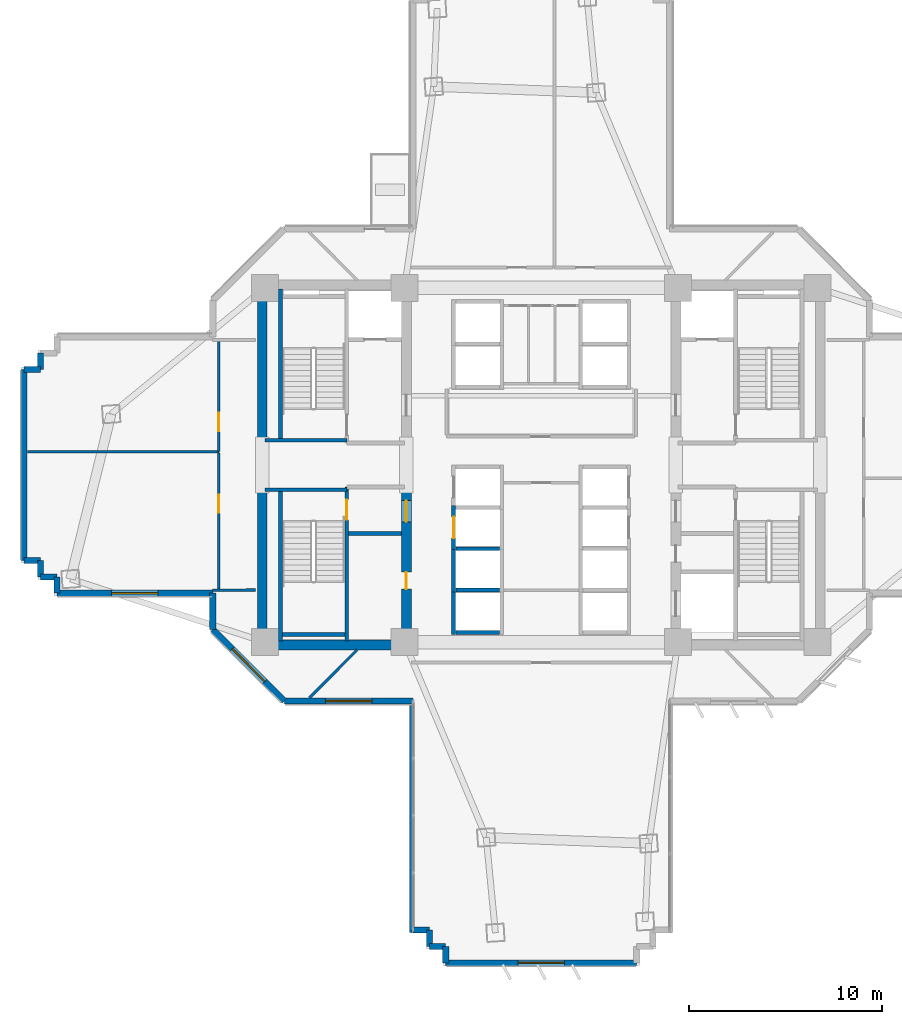
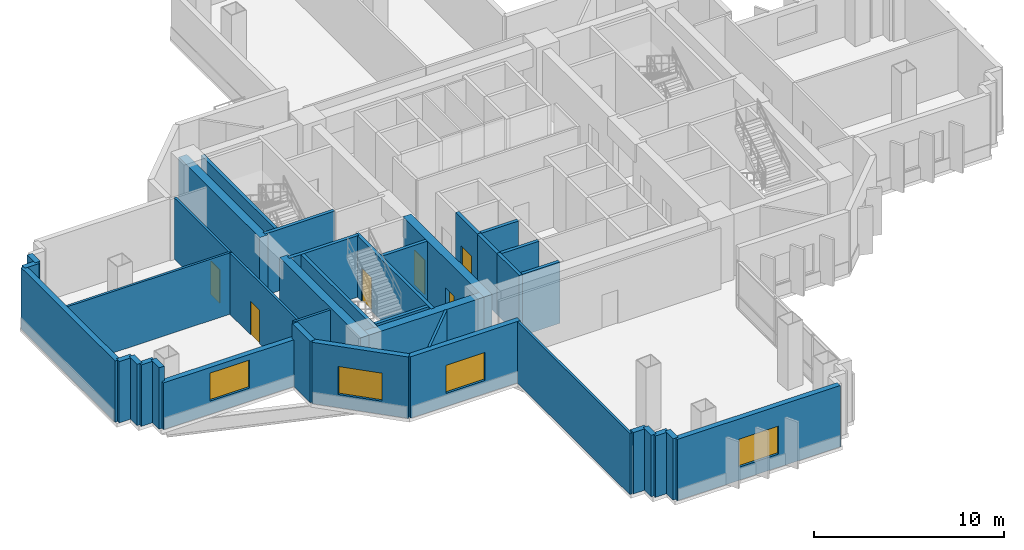
# One storey, part 5 of 14: 39 walls, 6 doors, 4 windows, 10 openings.
"""IFC4 building model written with IfcOpenShell, lengths in metres."""

from ifc_helpers import new_model, si_unit, direction, frame, frame_2d, origin, place, context, subcontext, project, spatial, rectangle, extrude, source, transform, mapped, material, layer, layer_set, type_object, element, fill, save


model = new_model("IFC4")

# Units and contexts
model_context = context("Model", 3, precision=1e-05, world=origin(), true_north=direction((0.0, 1.0)))
body_context = subcontext(model_context, "Body", "Model", "MODEL_VIEW")
ifc_project = project(units=[si_unit("LENGTHUNIT", "METRE"), si_unit("AREAUNIT", "SQUARE_METRE"), si_unit("VOLUMEUNIT", "CUBIC_METRE"), si_unit("PLANEANGLEUNIT", "RADIAN"), si_unit("MASSUNIT", "GRAM", prefix="KILO")], contexts=[model_context])

# Site, building, storey
site_placement = place(None, origin())
site = spatial("IfcSite", under=ifc_project, at=site_placement, CompositionType="ELEMENT")
building_placement = place(site_placement, origin())
building = spatial("IfcBuilding", under=site, at=building_placement, Name="Zahravan Cultural Tower", CompositionType="ELEMENT")
storey_placement = place(building_placement, frame((0.0, 0.0, 33.300048828125)))
storey = spatial("IfcBuildingStorey", under=building, at=storey_placement, Name="L06", CompositionType="ELEMENT", Elevation=33.300048828125)

# Wall, openings, doors
ifc_material_1 = material(Name="Concrete C60/75", Category="concrete")
ifc_layer_1 = layer(ifc_material_1, 0.5)
ifc_layer_set_1 = layer_set([ifc_layer_1], Name="Concrete C60/75")
wall_type_1 = type_object("IfcWallType", Name="CW-SHEAR-500-C60", PredefinedType="SHEAR", material=ifc_layer_set_1)
wall_1_placement = place(storey_placement, frame((29.0, 17.39990234375, 0.0), z_axis=(0.0, 0.0, 1.0), x_axis=(0.0, 1.0, 0.0)))
wall_1 = element("IfcWall", 1, at=wall_1_placement, inside=storey, type_object=wall_type_1, Name="L06 Core Shear Wall CW-W-ES-L06", PredefinedType="SHEAR", context=body_context, shape_type="SweptSolid", body=[
    extrude(rectangle(XDim=8.550048828125, YDim=0.5, at=frame_2d((4.27490234375, 0.0))), origin(), (0.0, 0.0, 1.0), 3.949951171875),
])
opening_1_placement = place(wall_1_placement, frame((6.64990234375, 0.0, 0.0)))
opening_1 = element("IfcOpeningElement", 2, at=opening_1_placement, cuts=wall_1, Name="Opening D-L06-07", PredefinedType="OPENING", context=body_context, shape_type="SweptSolid", body=[
    extrude(rectangle(XDim=1.10009765625, YDim=2.199951171875, at=frame_2d((0.550048828125, 1.10009765625))), frame((0.0, 0.260009765625, 0.0), z_axis=(0.0, -1.0, 0.0), x_axis=(1.0, 0.0, 0.0)), (0.0, 0.0, 1.0), 0.52001953125),
])
opening_2_placement = place(wall_1_placement, frame((3.14990234375, 0.0, 0.0)))
opening_2 = element("IfcOpeningElement", 3, at=opening_2_placement, cuts=wall_1, Name="Opening D-L06-09", PredefinedType="OPENING", context=body_context, shape_type="SweptSolid", body=[
    extrude(rectangle(XDim=0.8798828125, YDim=2.10009765625, at=frame_2d((0.43994140625, 1.050048828125))), frame((0.0, 0.260009765625, 0.0), z_axis=(0.0, -1.0, 0.0), x_axis=(1.0, 0.0, 0.0)), (0.0, 0.0, 1.0), 0.52001953125),
])
ifc_material_2 = material(Name="Steel ASTM A572 Grade 50", Category="steel")
door_type_1 = type_object("IfcDoorType", Name="DR-LOBBY-1100", OperationType="NOTDEFINED", PredefinedType="DOOR", material=ifc_material_2)
shared_shape_1 = source(origin(), body_context, "Body", "SweptSolid", [
    extrude(rectangle(XDim=1.10009765625, YDim=2.199951171875, at=frame_2d((0.550048828125, 1.10009765625))), frame((0.0, 0.02490234375, 0.0), z_axis=(0.0, -1.0, 0.0), x_axis=(1.0, 0.0, 0.0)), (0.0, 0.0, 1.0), 0.050048828125),
])
door_1_placement = place(opening_1_placement, origin())
door_1 = element("IfcDoor", 4, at=door_1_placement, inside=storey, type_object=door_type_1, Name="L06 Door D-L06-07", OperationType="SINGLE_SWING_RIGHT", OverallHeight=2.199951171875, OverallWidth=1.10009765625, PredefinedType="DOOR", context=body_context, shape_type="MappedRepresentation", body=[
    mapped(shared_shape_1, transform((0.0, 0.0, 0.0), x_axis=(1.0, 0.0, 0.0), y_axis=(0.0, 1.0, 0.0), z_axis=(0.0, 0.0, 1.0), scale=1.0)),
])
fill(opening_1, door_1)
door_type_2 = type_object("IfcDoorType", Name="DR-SVC-880", OperationType="NOTDEFINED", PredefinedType="DOOR", material=ifc_material_2)
shared_shape_2 = source(origin(), body_context, "Body", "SweptSolid", [
    extrude(rectangle(XDim=0.8798828125, YDim=2.10009765625, at=frame_2d((0.43994140625, 1.050048828125))), frame((0.0, 0.02490234375, 0.0), z_axis=(0.0, -1.0, 0.0), x_axis=(1.0, 0.0, 0.0)), (0.0, 0.0, 1.0), 0.050048828125),
])
door_2_placement = place(opening_2_placement, origin())
door_2 = element("IfcDoor", 5, at=door_2_placement, inside=storey, type_object=door_type_2, Name="L06 Door D-L06-09", OperationType="SINGLE_SWING_RIGHT", OverallHeight=2.10009765625, OverallWidth=0.8798828125, PredefinedType="DOOR", context=body_context, shape_type="MappedRepresentation", body=[
    mapped(shared_shape_2, transform((0.0, 0.0, 0.0), x_axis=(1.0, 0.0, 0.0), y_axis=(0.0, 1.0, 0.0), z_axis=(0.0, 0.0, 1.0), scale=1.0)),
])
fill(opening_2, door_2)

# Wall, opening, window
ifc_material_3 = material(Name="Precast concrete C40/50", Category="concrete")
ifc_layer_2 = layer(ifc_material_3, 0.320068359375)
ifc_layer_set_2 = layer_set([ifc_layer_2], Name="Precast concrete C40/50")
wall_type_2 = type_object("IfcWallType", Name="EW-TC-320", PredefinedType="SOLIDWALL", material=ifc_layer_set_2)
wall_2_placement = place(storey_placement, frame((40.9599609375, 1.139892578125, 0.0), z_axis=(0.0, 0.0, 1.0), x_axis=(-1.0, 0.0, 0.0)))
wall_2 = element("IfcWall", 6, at=wall_2_placement, inside=storey, type_object=wall_type_2, Name="L06 Exterior Masonry Frame Wall 19", PredefinedType="SOLIDWALL", context=body_context, shape_type="SweptSolid", body=[
    extrude(rectangle(XDim=9.919921875, YDim=0.320068359375, at=frame_2d((4.9599609375, 0.0))), origin(), (0.0, 0.0, 1.0), 3.949951171875),
])
opening_3_placement = place(wall_2_placement, frame((3.760009765625, 0.0, 0.85009765625)))
opening_3 = element("IfcOpeningElement", 7, at=opening_3_placement, cuts=wall_2, Name="Opening WN-01", PredefinedType="OPENING", context=body_context, shape_type="SweptSolid", body=[
    extrude(rectangle(XDim=2.39990234375, YDim=1.800048828125, at=frame_2d((1.199951171875, 0.89990234375))), frame((0.0, 0.169921875, 0.0), z_axis=(0.0, -1.0, 0.0), x_axis=(1.0, 0.0, 0.0)), (0.0, 0.0, 1.0), 0.340087890625),
])
ifc_material_4 = material(Name="Low-E solar-control double glazing", Category="glass")
window_type = type_object("IfcWindowType", Name="WN-REC-2400X1800", PartitioningType="DOUBLE_PANEL_VERTICAL", PredefinedType="WINDOW", material=ifc_material_4)
shared_shape_3 = source(origin(), body_context, "Body", "SweptSolid", [
    extrude(rectangle(XDim=2.39990234375, YDim=1.800048828125, at=frame_2d((1.199951171875, 0.89990234375))), frame((0.0, 0.030029296875, 0.0), z_axis=(0.0, -1.0, 0.0), x_axis=(1.0, 0.0, 0.0)), (0.0, 0.0, 1.0), 0.06005859375),
])
window_1_placement = place(opening_3_placement, origin())
window_1 = element("IfcWindow", 8, at=window_1_placement, inside=storey, type_object=window_type, Name="L06 Recessed Solar Window 05", OverallHeight=1.800048828125, OverallWidth=2.39990234375, PartitioningType="DOUBLE_PANEL_VERTICAL", PredefinedType="WINDOW", context=body_context, shape_type="MappedRepresentation", body=[
    mapped(shared_shape_3, transform((0.0, 0.0, 0.0), x_axis=(1.0, 0.0, 0.0), y_axis=(0.0, 1.0, 0.0), z_axis=(0.0, 0.0, 1.0), scale=1.0)),
])
fill(opening_3, window_1)

wall_3_placement = place(storey_placement, frame((29.340087890625, 14.739990234375, 0.0), z_axis=(0.0, 0.0, 1.0), x_axis=(-1.0, 0.0, 0.0)))
wall_3 = element("IfcWall", 9, at=wall_3_placement, inside=storey, type_object=wall_type_2, Name="L06 Exterior Masonry Frame Wall 24", PredefinedType="SOLIDWALL", context=body_context, shape_type="SweptSolid", body=[
    extrude(rectangle(XDim=6.68212890625, YDim=0.320068359375, at=frame_2d((3.341064453125, 0.0))), origin(), (0.0, 0.0, 1.0), 3.949951171875),
])
opening_4_placement = place(wall_3_placement, frame((2.14111328125, 0.0, 0.85009765625)))
opening_4 = element("IfcOpeningElement", 10, at=opening_4_placement, cuts=wall_3, Name="Opening WN-01", PredefinedType="OPENING", context=body_context, shape_type="SweptSolid", body=[
    extrude(rectangle(XDim=2.39990234375, YDim=1.800048828125, at=frame_2d((1.199951171875, 0.89990234375))), frame((0.0, 0.169921875, 0.0), z_axis=(0.0, -1.0, 0.0), x_axis=(1.0, 0.0, 0.0)), (0.0, 0.0, 1.0), 0.340087890625),
])
window_2_placement = place(opening_4_placement, origin())
window_2 = element("IfcWindow", 11, at=window_2_placement, inside=storey, type_object=window_type, Name="L06 Recessed Solar Window 06", OverallHeight=1.800048828125, OverallWidth=2.39990234375, PartitioningType="DOUBLE_PANEL_VERTICAL", PredefinedType="WINDOW", context=body_context, shape_type="MappedRepresentation", body=[
    mapped(shared_shape_3, transform((0.0, 0.0, 0.0), x_axis=(1.0, 0.0, 0.0), y_axis=(0.0, 1.0, 0.0), z_axis=(0.0, 0.0, 1.0), scale=1.0)),
])
fill(opening_4, window_2)

wall_4_placement = place(storey_placement, frame((22.657958984375, 14.739990234375, 0.0), z_axis=(0.0, 0.0, 1.0), x_axis=(-0.707106781187, 0.707106781187, 0.0)))
wall_4 = element("IfcWall", 12, at=wall_4_placement, inside=storey, type_object=wall_type_2, Name="L06 Exterior Masonry Frame Wall 25", PredefinedType="SOLIDWALL", context=body_context, shape_type="SweptSolid", body=[
    extrude(rectangle(XDim=5.258056640625, YDim=0.320068359375, at=frame_2d((2.62890625, 0.0))), origin(), (0.0, 0.0, 1.0), 3.949951171875),
])
opening_5_placement = place(wall_4_placement, frame((1.428955078125, 0.0, 0.85009765625)))
opening_5 = element("IfcOpeningElement", 13, at=opening_5_placement, cuts=wall_4, Name="Opening WN-01", PredefinedType="OPENING", context=body_context, shape_type="SweptSolid", body=[
    extrude(rectangle(XDim=2.39990234375, YDim=1.800048828125, at=frame_2d((1.199951171875, 0.89990234375))), frame((0.0, 0.169921875, 0.0), z_axis=(0.0, -1.0, 0.0), x_axis=(1.0, 0.0, 0.0)), (0.0, 0.0, 1.0), 0.340087890625),
])
window_3_placement = place(opening_5_placement, origin())
window_3 = element("IfcWindow", 14, at=window_3_placement, inside=storey, type_object=window_type, Name="L06 Recessed Solar Window 07", OverallHeight=1.800048828125, OverallWidth=2.39990234375, PartitioningType="DOUBLE_PANEL_VERTICAL", PredefinedType="WINDOW", context=body_context, shape_type="MappedRepresentation", body=[
    mapped(shared_shape_3, transform((0.0, 0.0, 0.0), x_axis=(1.0, 0.0, 0.0), y_axis=(0.0, 1.0, 0.0), z_axis=(0.0, 0.0, 1.0), scale=1.0)),
])
fill(opening_5, window_3)

wall_5_placement = place(storey_placement, frame((18.93994140625, 20.340087890625, 0.0), z_axis=(0.0, 0.0, 1.0), x_axis=(-1.0, 0.0, 0.0)))
wall_5 = element("IfcWall", 15, at=wall_5_placement, inside=storey, type_object=wall_type_2, Name="L06 Exterior Masonry Frame Wall 27", PredefinedType="SOLIDWALL", context=body_context, shape_type="SweptSolid", body=[
    extrude(rectangle(XDim=8.099853515625, YDim=0.320068359375, at=frame_2d((4.0498046875, 0.0))), origin(), (0.0, 0.0, 1.0), 3.010009765625),
])
opening_6_placement = place(wall_5_placement, frame((2.85009765625, 0.0, 0.85009765625)))
opening_6 = element("IfcOpeningElement", 16, at=opening_6_placement, cuts=wall_5, Name="Opening WN-01", PredefinedType="OPENING", context=body_context, shape_type="SweptSolid", body=[
    extrude(rectangle(XDim=2.39990234375, YDim=1.800048828125, at=frame_2d((1.199951171875, 0.89990234375))), frame((0.0, 0.169921875, 0.0), z_axis=(0.0, -1.0, 0.0), x_axis=(1.0, 0.0, 0.0)), (0.0, 0.0, 1.0), 0.340087890625),
])
window_4_placement = place(opening_6_placement, origin())
window_4 = element("IfcWindow", 17, at=window_4_placement, inside=storey, type_object=window_type, Name="L06 Recessed Solar Window 08", OverallHeight=1.800048828125, OverallWidth=2.39990234375, PartitioningType="DOUBLE_PANEL_VERTICAL", PredefinedType="WINDOW", context=body_context, shape_type="MappedRepresentation", body=[
    mapped(shared_shape_3, transform((0.0, 0.0, 0.0), x_axis=(1.0, 0.0, 0.0), y_axis=(0.0, 1.0, 0.0), z_axis=(0.0, 0.0, 1.0), scale=1.0)),
])
fill(opening_6, window_4)

# Wall, opening, door
ifc_material_5 = material(Name="Gypsum plasterboard partition")
ifc_layer_3 = layer(ifc_material_5, 0.139892578125)
ifc_layer_set_3 = layer_set([ifc_layer_3], Name="Gypsum plasterboard partition")
wall_type_3 = type_object("IfcWallType", Name="W-PART-140", PredefinedType="PARTITIONING", material=ifc_layer_set_3)
wall_6_placement = place(storey_placement, frame((19.25048828125, 33.496337890625, 0.0), z_axis=(0.0, 0.0, 1.0), x_axis=(-8.409368e-05, -0.999999996464, 0.0)))
wall_6 = element("IfcWall", 18, at=wall_6_placement, inside=storey, type_object=wall_type_3, Name="L06 Interior Wall 079", PredefinedType="PARTITIONING", context=body_context, shape_type="SweptSolid", body=[
    extrude(rectangle(XDim=5.806396484375, YDim=0.139892578125, at=frame_2d((2.9033203125, 0.0))), origin(), (0.0, 0.0, 1.0), 3.949951171875),
])
opening_7_placement = place(wall_6_placement, frame((3.787841796875, 0.0, 0.0)))
opening_7 = element("IfcOpeningElement", 19, at=opening_7_placement, cuts=wall_6, Name="Opening D-L06-20", PredefinedType="OPENING", context=body_context, shape_type="SweptSolid", body=[
    extrude(rectangle(XDim=0.949951171875, YDim=2.14990234375, at=frame_2d((0.47509765625, 1.074951171875))), frame((0.0, 0.079833984375, 0.0), z_axis=(0.0, -1.0, 0.0), x_axis=(1.0, 0.0, 0.0)), (0.0, 0.0, 1.0), 0.159912109375),
])
ifc_material_6 = material(Name="Anodised bronze-aluminium mullion", Category="aluminium")
door_type_3 = type_object("IfcDoorType", Name="DR-ROOM-950", OperationType="NOTDEFINED", PredefinedType="DOOR", material=ifc_material_6)
shared_shape_4 = source(origin(), body_context, "Body", "SweptSolid", [
    extrude(rectangle(XDim=0.949951171875, YDim=2.14990234375, at=frame_2d((0.47509765625, 1.074951171875))), frame((0.0, 0.02490234375, 0.0), z_axis=(0.0, -1.0, 0.0), x_axis=(1.0, 0.0, 0.0)), (0.0, 0.0, 1.0), 0.050048828125),
])
door_3_placement = place(opening_7_placement, origin())
door_3 = element("IfcDoor", 20, at=door_3_placement, inside=storey, type_object=door_type_3, Name="L06 Door D-L06-20", OperationType="SINGLE_SWING_LEFT", OverallHeight=2.14990234375, OverallWidth=0.949951171875, PredefinedType="DOOR", context=body_context, shape_type="MappedRepresentation", body=[
    mapped(shared_shape_4, transform((0.0, 0.0, 0.0), x_axis=(1.0, 0.0, 0.0), y_axis=(0.0, 1.0, 0.0), z_axis=(0.0, 0.0, 1.0), scale=1.0)),
])
fill(opening_7, door_3)

wall_7_placement = place(storey_placement, frame((19.25, 27.614990234375, 0.0), z_axis=(0.0, 0.0, 1.0), x_axis=(0.0, -1.0, 0.0)))
wall_7 = element("IfcWall", 21, at=wall_7_placement, inside=storey, type_object=wall_type_3, Name="L06 Interior Wall 091", PredefinedType="PARTITIONING", context=body_context, shape_type="SweptSolid", body=[
    extrude(rectangle(XDim=7.109130859375, YDim=0.139892578125, at=frame_2d((3.5546875, 0.0))), origin(), (0.0, 0.0, 1.0), 3.949951171875),
])
opening_8_placement = place(wall_7_placement, frame((2.15576171875, 0.0, 0.0)))
opening_8 = element("IfcOpeningElement", 22, at=opening_8_placement, cuts=wall_7, Name="Opening D-L06-21", PredefinedType="OPENING", context=body_context, shape_type="SweptSolid", body=[
    extrude(rectangle(XDim=0.949951171875, YDim=2.14990234375, at=frame_2d((0.47509765625, 1.074951171875))), frame((0.0, 0.079833984375, 0.0), z_axis=(0.0, -1.0, 0.0), x_axis=(1.0, 0.0, 0.0)), (0.0, 0.0, 1.0), 0.159912109375),
])
door_4_placement = place(opening_8_placement, origin())
door_4 = element("IfcDoor", 23, at=door_4_placement, inside=storey, type_object=door_type_3, Name="L06 Door D-L06-21", OperationType="SINGLE_SWING_RIGHT", OverallHeight=2.14990234375, OverallWidth=0.949951171875, PredefinedType="DOOR", context=body_context, shape_type="MappedRepresentation", body=[
    mapped(shared_shape_4, transform((0.0, 0.0, 0.0), x_axis=(1.0, 0.0, 0.0), y_axis=(0.0, 1.0, 0.0), z_axis=(0.0, 0.0, 1.0), scale=1.0)),
])
fill(opening_8, door_4)

ifc_material_7 = material(Name="Concrete C45/55", Category="concrete")
ifc_layer_4 = layer(ifc_material_7, 0.199951171875)
ifc_layer_set_4 = layer_set([ifc_layer_4], Name="Concrete C45/55")
wall_type_4 = type_object("IfcWallType", Name="W-SHAFT-200", PredefinedType="SOLIDWALL", material=ifc_layer_set_4)
wall_8_placement = place(storey_placement, frame((25.89990234375, 17.85009765625, 0.0), z_axis=(0.0, 0.0, 1.0), x_axis=(0.0, 1.0, 0.0)))
wall_8 = element("IfcWall", 24, at=wall_8_placement, inside=storey, type_object=wall_type_4, Name="L06 Interior Wall 005", PredefinedType="SOLIDWALL", context=body_context, shape_type="SweptSolid", body=[
    extrude(rectangle(XDim=8.0, YDim=0.199951171875, at=frame_2d((4.0, 0.0))), origin(), (0.0, 0.0, 1.0), 3.949951171875),
])
opening_9_placement = place(wall_8_placement, frame((6.300048828125, 0.0, 0.0)))
opening_9 = element("IfcOpeningElement", 25, at=opening_9_placement, cuts=wall_8, Name="Opening D-L06-04", PredefinedType="OPENING", context=body_context, shape_type="SweptSolid", body=[
    extrude(rectangle(XDim=1.050048828125, YDim=2.14990234375, at=frame_2d((0.52490234375, 1.074951171875))), frame((0.0, 0.10986328125, 0.0), z_axis=(0.0, -1.0, 0.0), x_axis=(1.0, 0.0, 0.0)), (0.0, 0.0, 1.0), 0.219970703125),
])
door_type_4 = type_object("IfcDoorType", Name="DR-STAIR-1050", OperationType="NOTDEFINED", PredefinedType="DOOR", material=ifc_material_2)
shared_shape_5 = source(origin(), body_context, "Body", "SweptSolid", [
    extrude(rectangle(XDim=1.050048828125, YDim=2.14990234375, at=frame_2d((0.52490234375, 1.074951171875))), frame((0.0, 0.02490234375, 0.0), z_axis=(0.0, -1.0, 0.0), x_axis=(1.0, 0.0, 0.0)), (0.0, 0.0, 1.0), 0.050048828125),
])
door_5_placement = place(opening_9_placement, origin())
door_5 = element("IfcDoor", 26, at=door_5_placement, inside=storey, type_object=door_type_4, Name="L06 Door D-L06-04", OperationType="SINGLE_SWING_LEFT", OverallHeight=2.14990234375, OverallWidth=1.050048828125, PredefinedType="DOOR", context=body_context, shape_type="MappedRepresentation", body=[
    mapped(shared_shape_5, transform((0.0, 0.0, 0.0), x_axis=(1.0, 0.0, 0.0), y_axis=(0.0, 1.0, 0.0), z_axis=(0.0, 0.0, 1.0), scale=1.0)),
])
fill(opening_9, door_5)

wall_9_placement = place(storey_placement, frame((31.449951171875, 22.60009765625, 0.0), z_axis=(0.0, 0.0, 1.0), x_axis=(0.0, 1.0, 0.0)))
wall_9 = element("IfcWall", 27, at=wall_9_placement, inside=storey, type_object=wall_type_4, Name="L06 Interior Wall 058", PredefinedType="SOLIDWALL", context=body_context, shape_type="SweptSolid", body=[
    extrude(rectangle(XDim=2.2998046875, YDim=0.199951171875, at=frame_2d((1.14990234375, 0.0))), origin(), (0.0, 0.0, 1.0), 3.949951171875),
])
opening_10_placement = place(wall_9_placement, frame((0.60009765625, 0.0, 0.0)))
opening_10 = element("IfcOpeningElement", 28, at=opening_10_placement, cuts=wall_9, Name="Opening LD-L06-05", PredefinedType="OPENING", context=body_context, shape_type="SweptSolid", body=[
    extrude(rectangle(XDim=1.10009765625, YDim=2.14990234375, at=frame_2d((0.550048828125, 1.074951171875))), frame((0.0, 0.10986328125, 0.0), z_axis=(0.0, -1.0, 0.0), x_axis=(1.0, 0.0, 0.0)), (0.0, 0.0, 1.0), 0.219970703125),
])
door_type_5 = type_object("IfcDoorType", Name="DR-LIFT-1100", OperationType="DOUBLE_DOOR_SLIDING", PredefinedType="DOOR", material=ifc_material_2)
shared_shape_6 = source(origin(), body_context, "Body", "SweptSolid", [
    extrude(rectangle(XDim=1.10009765625, YDim=2.14990234375, at=frame_2d((0.550048828125, 1.074951171875))), frame((0.0, 0.02490234375, 0.0), z_axis=(0.0, -1.0, 0.0), x_axis=(1.0, 0.0, 0.0)), (0.0, 0.0, 1.0), 0.050048828125),
])
door_6_placement = place(opening_10_placement, origin())
door_6 = element("IfcDoor", 29, at=door_6_placement, inside=storey, type_object=door_type_5, Name="L06 Door LD-L06-05", OperationType="DOUBLE_DOOR_SLIDING", OverallHeight=2.14990234375, OverallWidth=1.10009765625, PredefinedType="DOOR", context=body_context, shape_type="MappedRepresentation", body=[
    mapped(shared_shape_6, transform((0.0, 0.0, 0.0), x_axis=(1.0, 0.0, 0.0), y_axis=(0.0, 1.0, 0.0), z_axis=(0.0, 0.0, 1.0), scale=1.0)),
])
fill(opening_10, door_6)

# Walls
shared_shape_7 = source(origin(), body_context, "Body", "SweptSolid", [
    extrude(rectangle(XDim=8.550048828125, YDim=0.5, at=frame_2d((4.27490234375, 0.0))), origin(), (0.0, 0.0, 1.0), 3.949951171875),
])
for number, where, z_axis, x_axis, name in (
    (30, (21.5, 17.39990234375, 0.0), (0.0, 0.0, 1.0), (0.0, 1.0, 0.0), "L06 Core Shear Wall CW-W-WS-L06"),
    (31, (21.5, 28.050048828125, 0.0), (0.0, 0.0, 1.0), (0.0, 1.0, 0.0), "L06 Core Shear Wall CW-W-WN-L06"),
):
    element("IfcWall", number, at=place(storey_placement, frame(where, z_axis=z_axis, x_axis=x_axis)), inside=storey, type_object=wall_type_1, Name=name, PredefinedType="SHEAR", context=body_context, shape_type="MappedRepresentation", body=[
        mapped(shared_shape_7, transform((0.0, 0.0, 0.0), x_axis=(1.0, 0.0, 0.0), y_axis=(0.0, 1.0, 0.0), z_axis=(0.0, 0.0, 1.0), scale=1.0)),
    ])
shared_shape_8 = source(origin(), body_context, "Body", "SweptSolid", [
    extrude(rectangle(XDim=7.0, YDim=0.5, at=frame_2d((3.5, 0.0))), origin(), (0.0, 0.0, 1.0), 3.949951171875),
])
wall_10_placement = place(storey_placement, frame((21.75, 17.64990234375, 0.0), z_axis=(0.0, 0.0, 1.0), x_axis=(1.0, 0.0, 0.0)))
element("IfcWall", 32, at=wall_10_placement, inside=storey, type_object=wall_type_1, Name="L06 Core Shear Wall CW-W-S-L06", PredefinedType="SHEAR", context=body_context, shape_type="MappedRepresentation", body=[
    mapped(shared_shape_8, transform((0.0, 0.0, 0.0), x_axis=(1.0, 0.0, 0.0), y_axis=(0.0, 1.0, 0.0), z_axis=(0.0, 0.0, 1.0), scale=1.0)),
])
shared_shape_9 = source(origin(), body_context, "Body", "SweptSolid", [
    extrude(rectangle(XDim=0.849853515625, YDim=0.320068359375, at=frame_2d((0.4248046875, 0.0))), origin(), (0.0, 0.0, 1.0), 3.949951171875),
])
for number, where, z_axis, x_axis, name in (
    (33, (30.18994140625, 2.840087890625, 0.0), (0.0, 0.0, 1.0), (-1.0, 0.0, 0.0), "L06 Exterior Masonry Frame Wall 23"),
    (34, (10.840087890625, 20.340087890625, 0.0), (0.0, 0.0, 1.0), (0.0, 1.0, 0.0), "L06 Exterior Masonry Frame Wall 28"),
):
    element("IfcWall", number, at=place(storey_placement, frame(where, z_axis=z_axis, x_axis=x_axis)), inside=storey, type_object=wall_type_2, Name=name, PredefinedType="SOLIDWALL", context=body_context, shape_type="MappedRepresentation", body=[
        mapped(shared_shape_9, transform((0.0, 0.0, 0.0), x_axis=(1.0, 0.0, 0.0), y_axis=(0.0, 1.0, 0.0), z_axis=(0.0, 0.0, 1.0), scale=1.0)),
    ])
shared_shape_10 = source(origin(), body_context, "Body", "SweptSolid", [
    extrude(rectangle(XDim=0.85009765625, YDim=0.320068359375, at=frame_2d((0.425048828125, 0.0))), origin(), (0.0, 0.0, 1.0), 3.949951171875),
])
for number, where, z_axis, x_axis, name in (
    (35, (31.0400390625, 1.139892578125, 0.0), (0.0, 0.0, 1.0), (0.0, 1.0, 0.0), "L06 Exterior Masonry Frame Wall 20"),
    (36, (31.0400390625, 1.989990234375, 0.0), (0.0, 0.0, 1.0), (-1.0, 0.0, 0.0), "L06 Exterior Masonry Frame Wall 21"),
    (37, (30.18994140625, 1.989990234375, 0.0), (0.0, 0.0, 1.0), (0.0, 1.0, 0.0), "L06 Exterior Masonry Frame Wall 22"),
    (38, (10.840087890625, 21.18994140625, 0.0), (0.0, 0.0, 1.0), (-1.0, 0.0, 0.0), "L06 Exterior Masonry Frame Wall 29"),
    (39, (9.989990234375, 21.18994140625, 0.0), (0.0, 0.0, 1.0), (0.0, 1.0, 0.0), "L06 Exterior Masonry Frame Wall 30"),
    (40, (9.989990234375, 22.0400390625, 0.0), (0.0, 0.0, 1.0), (-1.0, 0.0, 0.0), "L06 Exterior Masonry Frame Wall 31"),
    (41, (9.139892578125, 31.9599609375, 0.0), (0.0, 0.0, 1.0), (1.0, 0.0, 0.0), "L06 Exterior Masonry Frame Wall 33"),
    (42, (9.989990234375, 31.9599609375, 0.0), (0.0, 0.0, 1.0), (0.0, 1.0, 0.0), "L06 Exterior Masonry Frame Wall 34"),
):
    element("IfcWall", number, at=place(storey_placement, frame(where, z_axis=z_axis, x_axis=x_axis)), inside=storey, type_object=wall_type_2, Name=name, PredefinedType="SOLIDWALL", context=body_context, shape_type="MappedRepresentation", body=[
        mapped(shared_shape_10, transform((0.0, 0.0, 0.0), x_axis=(1.0, 0.0, 0.0), y_axis=(0.0, 1.0, 0.0), z_axis=(0.0, 0.0, 1.0), scale=1.0)),
    ])
shared_shape_11 = source(origin(), body_context, "Body", "SweptSolid", [
    extrude(rectangle(XDim=9.919921875, YDim=0.320068359375, at=frame_2d((4.9599609375, 0.0))), origin(), (0.0, 0.0, 1.0), 3.949951171875),
])
wall_11_placement = place(storey_placement, frame((9.139892578125, 22.0400390625, 0.0), z_axis=(0.0, 0.0, 1.0), x_axis=(0.0, 1.0, 0.0)))
element("IfcWall", 43, at=wall_11_placement, inside=storey, type_object=wall_type_2, Name="L06 Exterior Masonry Frame Wall 32", PredefinedType="SOLIDWALL", context=body_context, shape_type="MappedRepresentation", body=[
    mapped(shared_shape_11, transform((0.0, 0.0, 0.0), x_axis=(1.0, 0.0, 0.0), y_axis=(0.0, 1.0, 0.0), z_axis=(0.0, 0.0, 1.0), scale=1.0)),
])
shared_shape_12 = source(origin(), body_context, "Body", "SweptSolid", [
    extrude(rectangle(XDim=1.882080078125, YDim=0.320068359375, at=frame_2d((0.94091796875, 0.0))), origin(), (0.0, 0.0, 1.0), 3.949951171875),
])
wall_12_placement = place(storey_placement, frame((18.93994140625, 18.4580078125, 0.0), z_axis=(0.0, 0.0, 1.0), x_axis=(0.0, 1.0, 0.0)))
element("IfcWall", 44, at=wall_12_placement, inside=storey, type_object=wall_type_2, Name="L06 Exterior Masonry Frame Wall 26", PredefinedType="SOLIDWALL", context=body_context, shape_type="MappedRepresentation", body=[
    mapped(shared_shape_12, transform((0.0, 0.0, 0.0), x_axis=(1.0, 0.0, 0.0), y_axis=(0.0, 1.0, 0.0), z_axis=(0.0, 0.0, 1.0), scale=1.0)),
])
shared_shape_13 = source(origin(), body_context, "Body", "SweptSolid", [
    extrude(rectangle(XDim=7.869873046875, YDim=0.199951171875, at=frame_2d((3.93505859375, 0.0))), origin(), (0.0, 0.0, 1.0), 3.949951171875),
])
for number, where, z_axis, x_axis, name in (
    (45, (22.449951171875, 17.85009765625, 0.0), (0.0, 0.0, 1.0), (0.0, 1.0, 0.0), "L06 Interior Wall 001"),
    (46, (22.449951171875, 28.280029296875, 0.0), (0.0, 0.0, 1.0), (0.0, 1.0, 0.0), "L06 Interior Wall 002"),
):
    element("IfcWall", number, at=place(storey_placement, frame(where, z_axis=z_axis, x_axis=x_axis)), inside=storey, type_object=wall_type_4, Name=name, PredefinedType="SOLIDWALL", context=body_context, shape_type="MappedRepresentation", body=[
        mapped(shared_shape_13, transform((0.0, 0.0, 0.0), x_axis=(1.0, 0.0, 0.0), y_axis=(0.0, 1.0, 0.0), z_axis=(0.0, 0.0, 1.0), scale=1.0)),
    ])
shared_shape_14 = source(origin(), body_context, "Body", "SweptSolid", [
    extrude(rectangle(XDim=4.25, YDim=0.199951171875, at=frame_2d((2.125, 0.0))), origin(), (0.0, 0.0, 1.0), 3.949951171875),
])
for number, where, z_axis, x_axis, name in (
    (47, (21.64990234375, 25.715087890625, 0.0), (0.0, 0.0, 1.0), (1.0, 0.0, 0.0), "L06 Interior Wall 009"),
    (48, (21.64990234375, 28.284912109375, 0.0), (0.0, 0.0, 1.0), (1.0, 0.0, 0.0), "L06 Interior Wall 011"),
):
    element("IfcWall", number, at=place(storey_placement, frame(where, z_axis=z_axis, x_axis=x_axis)), inside=storey, type_object=wall_type_4, Name=name, PredefinedType="SOLIDWALL", context=body_context, shape_type="MappedRepresentation", body=[
        mapped(shared_shape_14, transform((0.0, 0.0, 0.0), x_axis=(1.0, 0.0, 0.0), y_axis=(0.0, 1.0, 0.0), z_axis=(0.0, 0.0, 1.0), scale=1.0)),
    ])
shared_shape_15 = source(origin(), body_context, "Body", "SweptSolid", [
    extrude(rectangle(XDim=3.25, YDim=0.199951171875, at=frame_2d((1.625, 0.0))), origin(), (0.0, 0.0, 1.0), 3.949951171875),
])
wall_13_placement = place(storey_placement, frame((22.550048828125, 18.199951171875, 0.0), z_axis=(0.0, 0.0, 1.0), x_axis=(1.0, 0.0, 0.0)))
element("IfcWall", 49, at=wall_13_placement, inside=storey, type_object=wall_type_4, Name="L06 Interior Wall 019", PredefinedType="SOLIDWALL", context=body_context, shape_type="MappedRepresentation", body=[
    mapped(shared_shape_15, transform((0.0, 0.0, 0.0), x_axis=(1.0, 0.0, 0.0), y_axis=(0.0, 1.0, 0.0), z_axis=(0.0, 0.0, 1.0), scale=1.0)),
])
shared_shape_16 = source(origin(), body_context, "Body", "SweptSolid", [
    extrude(rectangle(XDim=2.75, YDim=0.199951171875, at=frame_2d((1.375, 0.0))), origin(), (0.0, 0.0, 1.0), 3.949951171875),
])
wall_14_placement = place(storey_placement, frame((26.0, 23.449951171875, 0.0), z_axis=(0.0, 0.0, 1.0), x_axis=(1.0, 0.0, 0.0)))
element("IfcWall", 50, at=wall_14_placement, inside=storey, type_object=wall_type_4, Name="L06 Interior Wall 023", PredefinedType="SOLIDWALL", context=body_context, shape_type="MappedRepresentation", body=[
    mapped(shared_shape_16, transform((0.0, 0.0, 0.0), x_axis=(1.0, 0.0, 0.0), y_axis=(0.0, 1.0, 0.0), z_axis=(0.0, 0.0, 1.0), scale=1.0)),
])
shared_shape_17 = source(origin(), body_context, "Body", "SweptSolid", [
    extrude(rectangle(XDim=2.260009765625, YDim=0.199951171875, at=frame_2d((1.1298828125, 0.0))), origin(), (0.0, 0.0, 1.0), 3.949951171875),
])
for number, where, z_axis, x_axis, name in (
    (51, (31.570068359375, 20.5, 0.0), (0.0, 0.0, 1.0), (1.0, 0.0, 0.0), "L06 Interior Wall 042"),
    (52, (31.570068359375, 22.64990234375, 0.0), (0.0, 0.0, 1.0), (1.0, 0.0, 0.0), "L06 Interior Wall 043"),
    (53, (31.570068359375, 18.300048828125, 0.0), (0.0, 0.0, 1.0), (1.0, 0.0, 0.0), "L06 Interior Wall 046"),
):
    element("IfcWall", number, at=place(storey_placement, frame(where, z_axis=z_axis, x_axis=x_axis)), inside=storey, type_object=wall_type_4, Name=name, PredefinedType="SOLIDWALL", context=body_context, shape_type="MappedRepresentation", body=[
        mapped(shared_shape_17, transform((0.0, 0.0, 0.0), x_axis=(1.0, 0.0, 0.0), y_axis=(0.0, 1.0, 0.0), z_axis=(0.0, 0.0, 1.0), scale=1.0)),
    ])
shared_shape_18 = source(origin(), body_context, "Body", "SweptSolid", [
    extrude(rectangle(XDim=2.35009765625, YDim=0.199951171875, at=frame_2d((1.175048828125, 0.0))), origin(), (0.0, 0.0, 1.0), 3.949951171875),
])
for number, where, z_axis, x_axis, name in (
    (54, (31.449951171875, 20.39990234375, 0.0), (0.0, 0.0, 1.0), (0.0, 1.0, 0.0), "L06 Interior Wall 040"),
    (55, (31.449951171875, 18.199951171875, 0.0), (0.0, 0.0, 1.0), (0.0, 1.0, 0.0), "L06 Interior Wall 044"),
):
    element("IfcWall", number, at=place(storey_placement, frame(where, z_axis=z_axis, x_axis=x_axis)), inside=storey, type_object=wall_type_4, Name=name, PredefinedType="SOLIDWALL", context=body_context, shape_type="MappedRepresentation", body=[
        mapped(shared_shape_18, transform((0.0, 0.0, 0.0), x_axis=(1.0, 0.0, 0.0), y_axis=(0.0, 1.0, 0.0), z_axis=(0.0, 0.0, 1.0), scale=1.0)),
    ])
shared_shape_19 = source(origin(), body_context, "Body", "SweptSolid", [
    extrude(rectangle(XDim=9.945068359375, YDim=0.139892578125, at=frame_2d((4.97265625, 0.0))), origin(), (0.0, 0.0, 1.0), 3.949951171875),
])
wall_15_placement = place(storey_placement, frame((19.25, 27.68994140625, 0.0), z_axis=(0.0, 0.0, 1.0), x_axis=(-1.0, 0.0, 0.0)))
element("IfcWall", 56, at=wall_15_placement, inside=storey, type_object=wall_type_3, Name="L06 Interior Wall 080", PredefinedType="PARTITIONING", context=body_context, shape_type="MappedRepresentation", body=[
    mapped(shared_shape_19, transform((0.0, 0.0, 0.0), x_axis=(1.0, 0.0, 0.0), y_axis=(0.0, 1.0, 0.0), z_axis=(0.0, 0.0, 1.0), scale=1.0)),
])
shared_shape_20 = source(origin(), body_context, "Body", "SweptSolid", [
    extrude(rectangle(XDim=2.21435546875, YDim=0.139892578125, at=frame_2d((1.107177734375, 0.0))), origin(), (0.0, 0.0, 1.0), 3.949951171875),
])
wall_16_placement = place(storey_placement, frame((18.93505859375, 20.49951171875, 0.0), z_axis=(0.0, 0.0, 1.0), x_axis=(0.999998444054, 0.001764054587, 0.0)))
element("IfcWall", 57, at=wall_16_placement, inside=storey, type_object=wall_type_3, Name="L06 Interior Wall 092", PredefinedType="PARTITIONING", context=body_context, shape_type="MappedRepresentation", body=[
    mapped(shared_shape_20, transform((0.0, 0.0, 0.0), x_axis=(1.0, 0.0, 0.0), y_axis=(0.0, 1.0, 0.0), z_axis=(0.0, 0.0, 1.0), scale=1.0)),
])
shared_shape_21 = source(origin(), body_context, "Body", "SweptSolid", [
    extrude(rectangle(XDim=3.505126953125, YDim=0.139892578125, at=frame_2d((1.75244140625, 0.0))), origin(), (0.0, 0.0, 1.0), 3.949951171875),
])
wall_17_placement = place(storey_placement, frame((26.430908203125, 17.39501953125, 0.0), z_axis=(0.0, 0.0, 1.0), x_axis=(-0.703790445361, -0.710407635811, 0.0)))
element("IfcWall", 58, at=wall_17_placement, inside=storey, type_object=wall_type_3, Name="L06 Interior Wall 093", PredefinedType="PARTITIONING", context=body_context, shape_type="MappedRepresentation", body=[
    mapped(shared_shape_21, transform((0.0, 0.0, 0.0), x_axis=(1.0, 0.0, 0.0), y_axis=(0.0, 1.0, 0.0), z_axis=(0.0, 0.0, 1.0), scale=1.0)),
])
shared_shape_22 = source(origin(), body_context, "Body", "SweptSolid", [
    extrude(rectangle(XDim=11.85498046875, YDim=0.139892578125, at=frame_2d((5.927490234375, 0.0))), origin(), (0.0, 0.0, 1.0), 3.949951171875),
])
wall_18_placement = place(storey_placement, frame((29.219970703125, 2.719970703125, 0.0), z_axis=(0.0, 0.0, 1.0), x_axis=(-0.000164751429, 0.999999986428, 0.0)))
element("IfcWall", 59, at=wall_18_placement, inside=storey, type_object=wall_type_3, Name="L06 Interior Wall 099", PredefinedType="PARTITIONING", context=body_context, shape_type="MappedRepresentation", body=[
    mapped(shared_shape_22, transform((0.0, 0.0, 0.0), x_axis=(1.0, 0.0, 0.0), y_axis=(0.0, 1.0, 0.0), z_axis=(0.0, 0.0, 1.0), scale=1.0)),
])

save(model, "model.ifc")
